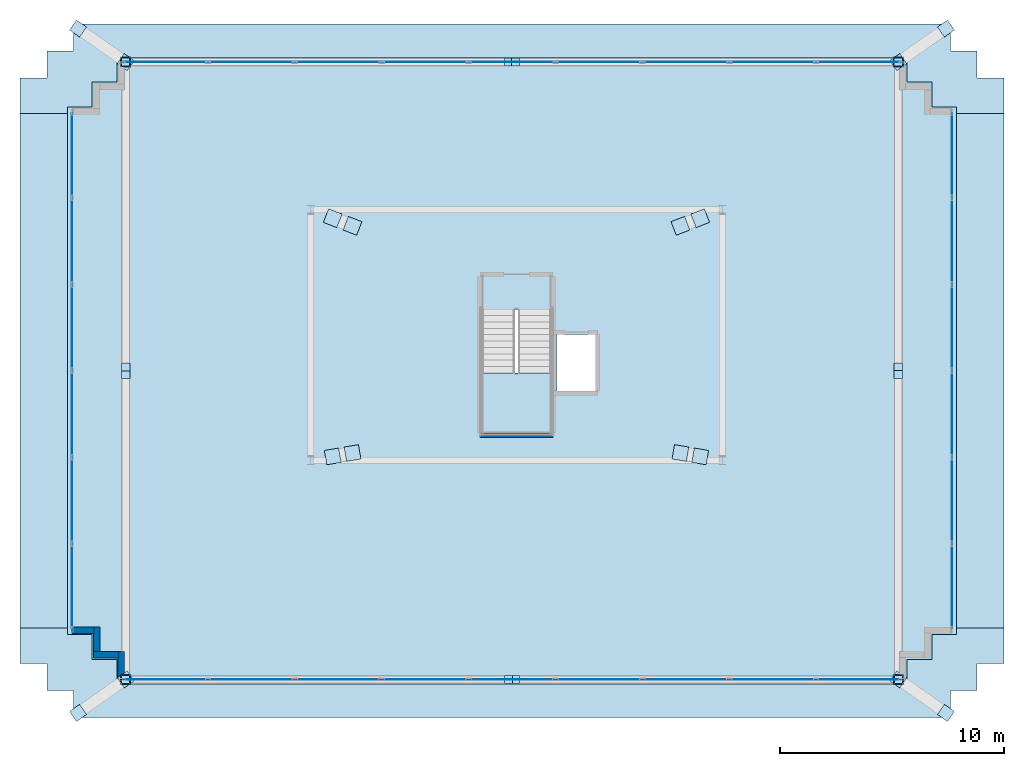
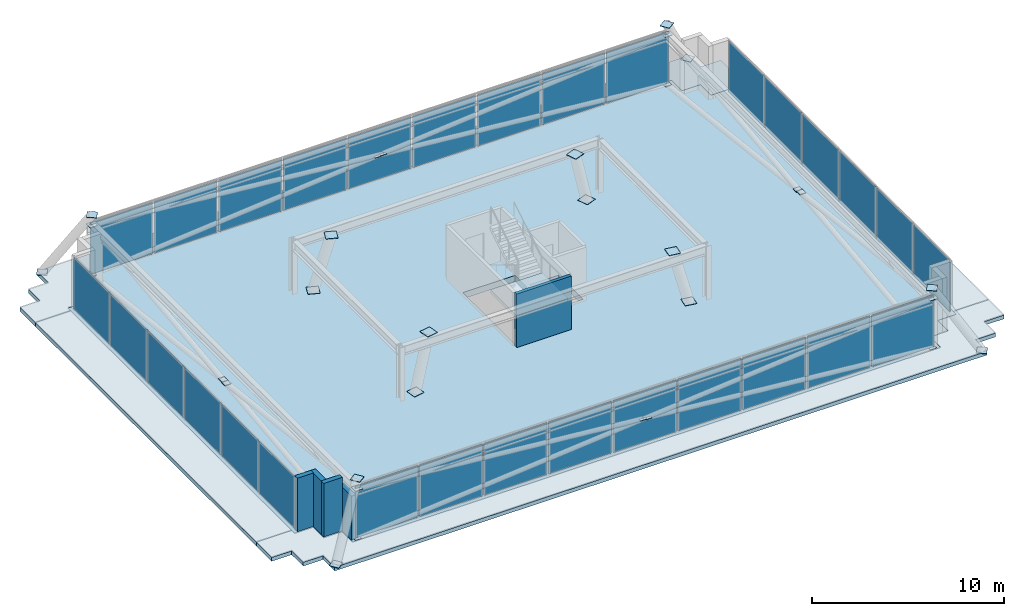
# One storey, part 18 of 22: 62 plates, 6 slabs, 5 walls, 5 elements without a shape of their own.
"""IFC4 building model written with IfcOpenShell, lengths in metres."""

from ifc_helpers import new_model, si_unit, direction, frame, frame_2d, origin, origin_2d, place, context, subcontext, project, spatial, polyline, rectangle, outline, extrude, material, layer, layer_set, type_object, element, aggregate, save


model = new_model("IFC4")

# Units and contexts
model_context = context("Model", 3, precision=1e-05, world=origin(), true_north=direction((0.0, 1.0)))
body_context = subcontext(model_context, "Body", "Model", "MODEL_VIEW")
ifc_project = project(units=[si_unit("LENGTHUNIT", "METRE"), si_unit("AREAUNIT", "SQUARE_METRE"), si_unit("VOLUMEUNIT", "CUBIC_METRE"), si_unit("PLANEANGLEUNIT", "RADIAN"), si_unit("MASSUNIT", "GRAM", prefix="KILO")], contexts=[model_context])

# Site, building, storey
site_placement = place(None, origin())
site = spatial("IfcSite", under=ifc_project, at=site_placement, CompositionType="ELEMENT")
building_placement = place(site_placement, origin())
building = spatial("IfcBuilding", under=site, at=building_placement, Name="Qobustan Lattice House", CompositionType="ELEMENT")
storey_placement = place(building_placement, frame((0.0, 0.0, 274.0)))
storey = spatial("IfcBuildingStorey", under=building, at=storey_placement, Name="L77", CompositionType="ELEMENT", Elevation=274.0)

# Curtain wall, plates
ifc_material_1 = material(Name="Anodised aluminium and low-E glazing", Category="aluminium")
ifc_layer_1 = layer(ifc_material_1, 0.219970703125)
ifc_layer_set_1 = layer_set([ifc_layer_1], Name="Anodised aluminium and low-E glazing")
curtain_wall_type = type_object("IfcCurtainWallType", Name="CW-CRN-01", PredefinedType="USERDEFINED", material=ifc_layer_set_1)
curtain_wall_1_placement = place(storey_placement, origin())
curtain_wall_1 = element("IfcCurtainWall", 1, at=curtain_wall_1_placement, inside=storey, type_object=curtain_wall_type, Name="L77 glass-point crown faceted curtain wall 5", ObjectType="CURTAIN WALL", PredefinedType="USERDEFINED")
ifc_material_2 = material(Name="Warm frit stone-toned laminated glass", Category="masonry")
ifc_layer_2 = layer(ifc_material_2, 0.035888671875)
ifc_layer_set_2 = layer_set([ifc_layer_2], Name="Warm frit stone-toned laminated glass")
plate_type_1 = type_object("IfcPlateType", Name="CWP-CROWN-36", PredefinedType="CURTAIN_PANEL", material=ifc_layer_set_2)
plate_1_placement = place(storey_placement, frame((-19.87353515625, -11.245361328125, 0.06494140625), z_axis=(0.0, 0.0, 1.0), x_axis=(0.0, 1.0, 0.0)))
plate_1 = element("IfcPlate", 2, at=plate_1_placement, type_object=plate_type_1, Name="CW-CR panel 1.1", PredefinedType="CURTAIN_PANEL", context=body_context, shape_type="SweptSolid", body=[
    extrude(rectangle(XDim=3.732177734375, YDim=0.031982421875, at=origin_2d()), origin(), (0.0, 0.0, 1.0), 3.27001953125),
])
plate_2_placement = place(storey_placement, frame((-19.87353515625, -7.400634765625, 0.06494140625), z_axis=(0.0, 0.0, 1.0), x_axis=(0.0, 1.0, 0.0)))
plate_2 = element("IfcPlate", 3, at=plate_2_placement, type_object=plate_type_1, Name="CW-CR panel 2.1", PredefinedType="CURTAIN_PANEL", context=body_context, shape_type="SweptSolid", body=[
    extrude(rectangle(XDim=3.777099609375, YDim=0.031982421875, at=origin_2d()), origin(), (0.0, 0.0, 1.0), 3.27001953125),
])
plate_3_placement = place(storey_placement, frame((-19.87353515625, -3.53369140625, 0.06494140625), z_axis=(0.0, 0.0, 1.0), x_axis=(0.0, 1.0, 0.0)))
plate_3 = element("IfcPlate", 4, at=plate_3_placement, type_object=plate_type_1, Name="CW-CR panel 3.1", PredefinedType="CURTAIN_PANEL", context=body_context, shape_type="SweptSolid", body=[
    extrude(rectangle(XDim=3.777099609375, YDim=0.031982421875, at=origin_2d()), origin(), (0.0, 0.0, 1.0), 3.27001953125),
])
plate_4_placement = place(storey_placement, frame((-19.87353515625, 0.33349609375, 0.06494140625), z_axis=(0.0, 0.0, 1.0), x_axis=(0.0, 1.0, 0.0)))
plate_4 = element("IfcPlate", 5, at=plate_4_placement, type_object=plate_type_1, Name="CW-CR panel 4.1", PredefinedType="CURTAIN_PANEL", context=body_context, shape_type="SweptSolid", body=[
    extrude(rectangle(XDim=3.777099609375, YDim=0.031982421875, at=origin_2d()), origin(), (0.0, 0.0, 1.0), 3.27001953125),
])
plate_5_placement = place(storey_placement, frame((-19.87353515625, 4.20068359375, 0.06494140625), z_axis=(0.0, 0.0, 1.0), x_axis=(0.0, 1.0, 0.0)))
plate_5 = element("IfcPlate", 6, at=plate_5_placement, type_object=plate_type_1, Name="CW-CR panel 5.1", PredefinedType="CURTAIN_PANEL", context=body_context, shape_type="SweptSolid", body=[
    extrude(rectangle(XDim=3.777099609375, YDim=0.031982421875, at=origin_2d()), origin(), (0.0, 0.0, 1.0), 3.27001953125),
])
plate_6_placement = place(storey_placement, frame((-19.87353515625, 8.04541015625, 0.06494140625), z_axis=(0.0, 0.0, 1.0), x_axis=(0.0, 1.0, 0.0)))
plate_6 = element("IfcPlate", 7, at=plate_6_placement, type_object=plate_type_1, Name="CW-CR panel 6.1", PredefinedType="CURTAIN_PANEL", context=body_context, shape_type="SweptSolid", body=[
    extrude(rectangle(XDim=3.732177734375, YDim=0.031982421875, at=origin_2d()), origin(), (0.0, 0.0, 1.0), 3.27001953125),
])
aggregate(curtain_wall_1, [plate_1, plate_2, plate_3, plate_4, plate_5, plate_6])

curtain_wall_2_placement = place(storey_placement, origin())
curtain_wall_2 = element("IfcCurtainWall", 8, at=curtain_wall_2_placement, inside=storey, type_object=curtain_wall_type, Name="L77 glass-point crown faceted curtain wall 10", ObjectType="CURTAIN WALL", PredefinedType="USERDEFINED")
plate_7_placement = place(storey_placement, frame((-15.70947265625, 12.201416015625, 0.06494140625), z_axis=(0.0, 0.0, 1.0), x_axis=(1.0, 0.0, 0.0)))
plate_7 = element("IfcPlate", 9, at=plate_7_placement, type_object=plate_type_1, Name="CW-CR panel 1.1", PredefinedType="CURTAIN_PANEL", context=body_context, shape_type="SweptSolid", body=[
    extrude(rectangle(XDim=3.748046875, YDim=0.031982421875, at=origin_2d()), origin(), (0.0, 0.0, 1.0), 3.27001953125),
])
plate_8_placement = place(storey_placement, frame((-11.84912109375, 12.201416015625, 0.06494140625), z_axis=(0.0, 0.0, 1.0), x_axis=(1.0, 0.0, 0.0)))
plate_8 = element("IfcPlate", 10, at=plate_8_placement, type_object=plate_type_1, Name="CW-CR panel 2.1", PredefinedType="CURTAIN_PANEL", context=body_context, shape_type="SweptSolid", body=[
    extrude(rectangle(XDim=3.79296875, YDim=0.031982421875, at=origin_2d()), origin(), (0.0, 0.0, 1.0), 3.27001953125),
])
plate_9_placement = place(storey_placement, frame((-7.966064453125, 12.201416015625, 0.06494140625), z_axis=(0.0, 0.0, 1.0), x_axis=(1.0, 0.0, 0.0)))
plate_9 = element("IfcPlate", 11, at=plate_9_placement, type_object=plate_type_1, Name="CW-CR panel 3.1", PredefinedType="CURTAIN_PANEL", context=body_context, shape_type="SweptSolid", body=[
    extrude(rectangle(XDim=3.79296875, YDim=0.031982421875, at=origin_2d()), origin(), (0.0, 0.0, 1.0), 3.27001953125),
])
plate_10_placement = place(storey_placement, frame((-4.0830078125, 12.201416015625, 0.06494140625), z_axis=(0.0, 0.0, 1.0), x_axis=(1.0, 0.0, 0.0)))
plate_10 = element("IfcPlate", 12, at=plate_10_placement, type_object=plate_type_1, Name="CW-CR panel 4.1", PredefinedType="CURTAIN_PANEL", context=body_context, shape_type="SweptSolid", body=[
    extrude(rectangle(XDim=3.79296875, YDim=0.031982421875, at=origin_2d()), origin(), (0.0, 0.0, 1.0), 3.27001953125),
])
plate_11_placement = place(storey_placement, frame((-0.199951171875, 12.201416015625, 0.06494140625), z_axis=(0.0, 0.0, 1.0), x_axis=(1.0, 0.0, 0.0)))
plate_11 = element("IfcPlate", 13, at=plate_11_placement, type_object=plate_type_1, Name="CW-CR panel 5.1", PredefinedType="CURTAIN_PANEL", context=body_context, shape_type="SweptSolid", body=[
    extrude(rectangle(XDim=3.79296875, YDim=0.031982421875, at=origin_2d()), origin(), (0.0, 0.0, 1.0), 3.27001953125),
])
plate_12_placement = place(storey_placement, frame((3.68310546875, 12.201416015625, 0.06494140625), z_axis=(0.0, 0.0, 1.0), x_axis=(1.0, 0.0, 0.0)))
plate_12 = element("IfcPlate", 14, at=plate_12_placement, type_object=plate_type_1, Name="CW-CR panel 6.1", PredefinedType="CURTAIN_PANEL", context=body_context, shape_type="SweptSolid", body=[
    extrude(rectangle(XDim=3.79296875, YDim=0.031982421875, at=origin_2d()), origin(), (0.0, 0.0, 1.0), 3.27001953125),
])
plate_13_placement = place(storey_placement, frame((7.56591796875, 12.201416015625, 0.06494140625), z_axis=(0.0, 0.0, 1.0), x_axis=(1.0, 0.0, 0.0)))
plate_13 = element("IfcPlate", 15, at=plate_13_placement, type_object=plate_type_1, Name="CW-CR panel 7.1", PredefinedType="CURTAIN_PANEL", context=body_context, shape_type="SweptSolid", body=[
    extrude(rectangle(XDim=3.79296875, YDim=0.031982421875, at=origin_2d()), origin(), (0.0, 0.0, 1.0), 3.27001953125),
])
plate_14_placement = place(storey_placement, frame((11.448974609375, 12.201416015625, 0.06494140625), z_axis=(0.0, 0.0, 1.0), x_axis=(1.0, 0.0, 0.0)))
plate_14 = element("IfcPlate", 16, at=plate_14_placement, type_object=plate_type_1, Name="CW-CR panel 8.1", PredefinedType="CURTAIN_PANEL", context=body_context, shape_type="SweptSolid", body=[
    extrude(rectangle(XDim=3.79296875, YDim=0.031982421875, at=origin_2d()), origin(), (0.0, 0.0, 1.0), 3.27001953125),
])
plate_15_placement = place(storey_placement, frame((15.3095703125, 12.201416015625, 0.06494140625), z_axis=(0.0, 0.0, 1.0), x_axis=(1.0, 0.0, 0.0)))
plate_15 = element("IfcPlate", 17, at=plate_15_placement, type_object=plate_type_1, Name="CW-CR panel 9.1", PredefinedType="CURTAIN_PANEL", context=body_context, shape_type="SweptSolid", body=[
    extrude(rectangle(XDim=3.748046875, YDim=0.031982421875, at=origin_2d()), origin(), (0.0, 0.0, 1.0), 3.27001953125),
])
aggregate(curtain_wall_2, [plate_7, plate_8, plate_9, plate_10, plate_11, plate_12, plate_13, plate_14, plate_15])

curtain_wall_3_placement = place(storey_placement, origin())
curtain_wall_3 = element("IfcCurtainWall", 18, at=curtain_wall_3_placement, inside=storey, type_object=curtain_wall_type, Name="L77 glass-point crown faceted curtain wall 15", ObjectType="CURTAIN WALL", PredefinedType="USERDEFINED")
plate_16_placement = place(storey_placement, frame((19.473388671875, 8.04541015625, 0.06494140625), z_axis=(0.0, 0.0, 1.0), x_axis=(0.0, -1.0, 0.0)))
plate_16 = element("IfcPlate", 19, at=plate_16_placement, type_object=plate_type_1, Name="CW-CR panel 1.1", PredefinedType="CURTAIN_PANEL", context=body_context, shape_type="SweptSolid", body=[
    extrude(rectangle(XDim=3.732177734375, YDim=0.031982421875, at=origin_2d()), origin(), (0.0, 0.0, 1.0), 3.27001953125),
])
plate_17_placement = place(storey_placement, frame((19.473388671875, 4.20068359375, 0.06494140625), z_axis=(0.0, 0.0, 1.0), x_axis=(0.0, -1.0, 0.0)))
plate_17 = element("IfcPlate", 20, at=plate_17_placement, type_object=plate_type_1, Name="CW-CR panel 2.1", PredefinedType="CURTAIN_PANEL", context=body_context, shape_type="SweptSolid", body=[
    extrude(rectangle(XDim=3.777099609375, YDim=0.031982421875, at=origin_2d()), origin(), (0.0, 0.0, 1.0), 3.27001953125),
])
plate_18_placement = place(storey_placement, frame((19.473388671875, 0.33349609375, 0.06494140625), z_axis=(0.0, 0.0, 1.0), x_axis=(0.0, -1.0, 0.0)))
plate_18 = element("IfcPlate", 21, at=plate_18_placement, type_object=plate_type_1, Name="CW-CR panel 3.1", PredefinedType="CURTAIN_PANEL", context=body_context, shape_type="SweptSolid", body=[
    extrude(rectangle(XDim=3.777099609375, YDim=0.031982421875, at=origin_2d()), origin(), (0.0, 0.0, 1.0), 3.27001953125),
])
plate_19_placement = place(storey_placement, frame((19.473388671875, -3.53369140625, 0.06494140625), z_axis=(0.0, 0.0, 1.0), x_axis=(0.0, -1.0, 0.0)))
plate_19 = element("IfcPlate", 22, at=plate_19_placement, type_object=plate_type_1, Name="CW-CR panel 4.1", PredefinedType="CURTAIN_PANEL", context=body_context, shape_type="SweptSolid", body=[
    extrude(rectangle(XDim=3.777099609375, YDim=0.031982421875, at=origin_2d()), origin(), (0.0, 0.0, 1.0), 3.27001953125),
])
plate_20_placement = place(storey_placement, frame((19.473388671875, -7.400634765625, 0.06494140625), z_axis=(0.0, 0.0, 1.0), x_axis=(0.0, -1.0, 0.0)))
plate_20 = element("IfcPlate", 23, at=plate_20_placement, type_object=plate_type_1, Name="CW-CR panel 5.1", PredefinedType="CURTAIN_PANEL", context=body_context, shape_type="SweptSolid", body=[
    extrude(rectangle(XDim=3.777099609375, YDim=0.031982421875, at=origin_2d()), origin(), (0.0, 0.0, 1.0), 3.27001953125),
])
plate_21_placement = place(storey_placement, frame((19.473388671875, -11.245361328125, 0.06494140625), z_axis=(0.0, 0.0, 1.0), x_axis=(0.0, -1.0, 0.0)))
plate_21 = element("IfcPlate", 24, at=plate_21_placement, type_object=plate_type_1, Name="CW-CR panel 6.1", PredefinedType="CURTAIN_PANEL", context=body_context, shape_type="SweptSolid", body=[
    extrude(rectangle(XDim=3.732177734375, YDim=0.031982421875, at=origin_2d()), origin(), (0.0, 0.0, 1.0), 3.27001953125),
])
aggregate(curtain_wall_3, [plate_16, plate_17, plate_18, plate_19, plate_20, plate_21])

curtain_wall_4_placement = place(storey_placement, origin())
curtain_wall_4 = element("IfcCurtainWall", 25, at=curtain_wall_4_placement, inside=storey, type_object=curtain_wall_type, Name="L77 glass-point crown faceted curtain wall 20", ObjectType="CURTAIN WALL", PredefinedType="USERDEFINED")
plate_22_placement = place(storey_placement, frame((15.3095703125, -15.401611328125, 0.06494140625), z_axis=(0.0, 0.0, 1.0), x_axis=(-1.0, 0.0, 0.0)))
plate_22 = element("IfcPlate", 26, at=plate_22_placement, type_object=plate_type_1, Name="CW-CR panel 1.1", PredefinedType="CURTAIN_PANEL", context=body_context, shape_type="SweptSolid", body=[
    extrude(rectangle(XDim=3.748046875, YDim=0.031982421875, at=origin_2d()), origin(), (0.0, 0.0, 1.0), 3.27001953125),
])
plate_23_placement = place(storey_placement, frame((11.448974609375, -15.401611328125, 0.06494140625), z_axis=(0.0, 0.0, 1.0), x_axis=(-1.0, 0.0, 0.0)))
plate_23 = element("IfcPlate", 27, at=plate_23_placement, type_object=plate_type_1, Name="CW-CR panel 2.1", PredefinedType="CURTAIN_PANEL", context=body_context, shape_type="SweptSolid", body=[
    extrude(rectangle(XDim=3.79296875, YDim=0.031982421875, at=origin_2d()), origin(), (0.0, 0.0, 1.0), 3.27001953125),
])
plate_24_placement = place(storey_placement, frame((7.56591796875, -15.401611328125, 0.06494140625), z_axis=(0.0, 0.0, 1.0), x_axis=(-1.0, 0.0, 0.0)))
plate_24 = element("IfcPlate", 28, at=plate_24_placement, type_object=plate_type_1, Name="CW-CR panel 3.1", PredefinedType="CURTAIN_PANEL", context=body_context, shape_type="SweptSolid", body=[
    extrude(rectangle(XDim=3.79296875, YDim=0.031982421875, at=origin_2d()), origin(), (0.0, 0.0, 1.0), 3.27001953125),
])
plate_25_placement = place(storey_placement, frame((3.68310546875, -15.401611328125, 0.06494140625), z_axis=(0.0, 0.0, 1.0), x_axis=(-1.0, 0.0, 0.0)))
plate_25 = element("IfcPlate", 29, at=plate_25_placement, type_object=plate_type_1, Name="CW-CR panel 4.1", PredefinedType="CURTAIN_PANEL", context=body_context, shape_type="SweptSolid", body=[
    extrude(rectangle(XDim=3.79296875, YDim=0.031982421875, at=origin_2d()), origin(), (0.0, 0.0, 1.0), 3.27001953125),
])
plate_26_placement = place(storey_placement, frame((-0.199951171875, -15.401611328125, 0.06494140625), z_axis=(0.0, 0.0, 1.0), x_axis=(-1.0, 0.0, 0.0)))
plate_26 = element("IfcPlate", 30, at=plate_26_placement, type_object=plate_type_1, Name="CW-CR panel 5.1", PredefinedType="CURTAIN_PANEL", context=body_context, shape_type="SweptSolid", body=[
    extrude(rectangle(XDim=3.79296875, YDim=0.031982421875, at=origin_2d()), origin(), (0.0, 0.0, 1.0), 3.27001953125),
])
plate_27_placement = place(storey_placement, frame((-4.0830078125, -15.401611328125, 0.06494140625), z_axis=(0.0, 0.0, 1.0), x_axis=(-1.0, 0.0, 0.0)))
plate_27 = element("IfcPlate", 31, at=plate_27_placement, type_object=plate_type_1, Name="CW-CR panel 6.1", PredefinedType="CURTAIN_PANEL", context=body_context, shape_type="SweptSolid", body=[
    extrude(rectangle(XDim=3.79296875, YDim=0.031982421875, at=origin_2d()), origin(), (0.0, 0.0, 1.0), 3.27001953125),
])
plate_28_placement = place(storey_placement, frame((-7.966064453125, -15.401611328125, 0.06494140625), z_axis=(0.0, 0.0, 1.0), x_axis=(-1.0, 0.0, 0.0)))
plate_28 = element("IfcPlate", 32, at=plate_28_placement, type_object=plate_type_1, Name="CW-CR panel 7.1", PredefinedType="CURTAIN_PANEL", context=body_context, shape_type="SweptSolid", body=[
    extrude(rectangle(XDim=3.79296875, YDim=0.031982421875, at=origin_2d()), origin(), (0.0, 0.0, 1.0), 3.27001953125),
])
plate_29_placement = place(storey_placement, frame((-11.84912109375, -15.401611328125, 0.06494140625), z_axis=(0.0, 0.0, 1.0), x_axis=(-1.0, 0.0, 0.0)))
plate_29 = element("IfcPlate", 33, at=plate_29_placement, type_object=plate_type_1, Name="CW-CR panel 8.1", PredefinedType="CURTAIN_PANEL", context=body_context, shape_type="SweptSolid", body=[
    extrude(rectangle(XDim=3.79296875, YDim=0.031982421875, at=origin_2d()), origin(), (0.0, 0.0, 1.0), 3.27001953125),
])
plate_30_placement = place(storey_placement, frame((-15.70947265625, -15.401611328125, 0.06494140625), z_axis=(0.0, 0.0, 1.0), x_axis=(-1.0, 0.0, 0.0)))
plate_30 = element("IfcPlate", 34, at=plate_30_placement, type_object=plate_type_1, Name="CW-CR panel 9.1", PredefinedType="CURTAIN_PANEL", context=body_context, shape_type="SweptSolid", body=[
    extrude(rectangle(XDim=3.748046875, YDim=0.031982421875, at=origin_2d()), origin(), (0.0, 0.0, 1.0), 3.27001953125),
])
aggregate(curtain_wall_4, [plate_22, plate_23, plate_24, plate_25, plate_26, plate_27, plate_28, plate_29, plate_30])

# Plates
ifc_material_3 = material(Name="Steel S355", Category="steel")
ifc_layer_3 = layer(ifc_material_3, 0.030029296875)
ifc_layer_set_3 = layer_set([ifc_layer_3], Name="Steel S355")
plate_type_2 = type_object("IfcPlateType", Name="PLT-CAP-25", PredefinedType="SHEET", material=ifc_layer_set_3)
for number, where, z_axis, x_axis, name in (
    (35, (-8.216064453125, -5.431396484375, -0.02001953125), (0.0, 0.0, 1.0), (0.985623960897, 0.168953862656, 0.0), "L77 crown spire leg SL1 end cap plate 1"),
    (36, (-7.33203125, -5.27978515625, 3.3896484375), (0.0, 0.0, 1.0), (0.985623960897, 0.168953862656, 0.0), "L77 crown spire leg SL1 end cap plate 2"),
    (37, (8.216064453125, -5.431396484375, -0.02001953125), (0.0, 0.0, 1.0), (-0.985623960897, 0.168953862656, 0.0), "L77 crown spire leg SL2 end cap plate 1"),
    (38, (7.33203125, -5.27978515625, 3.3896484375), (0.0, 0.0, 1.0), (-0.985623960897, 0.168953862656, 0.0), "L77 crown spire leg SL2 end cap plate 2"),
    (39, (8.216064453125, 5.220458984375, -0.02001953125), (0.0, 0.0, 1.0), (-0.933003790768, -0.359866539724, 0.0), "L77 crown spire leg SL3 end cap plate 1"),
    (40, (7.33203125, 4.87939453125, 3.3896484375), (0.0, 0.0, 1.0), (-0.933003790768, -0.359866539724, 0.0), "L77 crown spire leg SL3 end cap plate 2"),
    (41, (-8.216064453125, 5.220458984375, -0.02001953125), (0.0, 0.0, 1.0), (0.933003790768, -0.359866539724, 0.0), "L77 crown spire leg SL4 end cap plate 1"),
    (42, (-7.33203125, 4.87939453125, 3.3896484375), (0.0, 0.0, 1.0), (0.933003790768, -0.359866539724, 0.0), "L77 crown spire leg SL4 end cap plate 2"),
):
    element("IfcPlate", number, at=place(storey_placement, frame(where, z_axis=z_axis, x_axis=x_axis)), inside=storey, type_object=plate_type_2, Name=name, PredefinedType="SHEET", context=body_context, shape_type="SweptSolid", body=[
        extrude(rectangle(XDim=0.64990234375, YDim=0.64990234375, at=origin_2d()), origin(), (0.0, 0.0, 1.0), 0.030029296875),
    ])
for number, where, z_axis, x_axis, name in (
    (43, (-19.602294921875, -16.901611328125, -0.01904296875), (0.0, 0.0, 1.0), (0.81742649872, 0.576032915024, 0.0), "L77 crown corner raking strut 1 end cap plate 1"),
    (44, (-17.47119140625, -15.39990234375, 3.7890625), (0.0, 0.0, 1.0), (0.81742649872, 0.576032915024, 0.0), "L77 crown corner raking strut 1 end cap plate 2"),
    (45, (19.202392578125, -16.901611328125, -0.01904296875), (0.0, 0.0, 1.0), (-0.81742649872, 0.576032915024, 0.0), "L77 crown corner raking strut 2 end cap plate 1"),
    (46, (17.0712890625, -15.39990234375, 3.7890625), (0.0, 0.0, 1.0), (-0.81742649872, 0.576032915024, 0.0), "L77 crown corner raking strut 2 end cap plate 2"),
    (47, (19.202392578125, 13.70166015625, -0.01904296875), (0.0, 0.0, 1.0), (-0.81742649872, -0.576032915024, 0.0), "L77 crown corner raking strut 3 end cap plate 1"),
    (48, (17.0712890625, 12.199951171875, 3.7890625), (0.0, 0.0, 1.0), (-0.81742649872, -0.576032915024, 0.0), "L77 crown corner raking strut 3 end cap plate 2"),
    (49, (-19.602294921875, 13.70166015625, -0.01904296875), (0.0, 0.0, 1.0), (0.81742649872, -0.576032915024, 0.0), "L77 crown corner raking strut 4 end cap plate 1"),
    (50, (-17.47119140625, 12.199951171875, 3.7890625), (0.0, 0.0, 1.0), (0.81742649872, -0.576032915024, 0.0), "L77 crown corner raking strut 4 end cap plate 2"),
):
    element("IfcPlate", number, at=place(storey_placement, frame(where, z_axis=z_axis, x_axis=x_axis)), inside=storey, type_object=plate_type_2, Name=name, PredefinedType="SHEET", context=body_context, shape_type="SweptSolid", body=[
        extrude(rectangle(XDim=0.548095703125, YDim=0.548095703125, at=origin_2d()), origin(), (0.0, 0.0, 1.0), 0.030029296875),
    ])
for number, where, z_axis, x_axis, name in (
    (51, (-17.478515625, -15.401611328125, 3.1650390625), (0.0, 0.0, 1.0), (1.0, 0.0, 0.0), "L77 crown ring chord 1 end cap plate 1"),
    (52, (17.07861328125, -15.401611328125, 3.1650390625), (0.0, 0.0, 1.0), (1.0, 0.0, 0.0), "L77 crown ring chord 1 end cap plate 2"),
):
    element("IfcPlate", number, at=place(storey_placement, frame(where, z_axis=z_axis, x_axis=x_axis)), inside=storey, type_object=plate_type_2, Name=name, PredefinedType="SHEET", context=body_context, shape_type="SweptSolid", body=[
        extrude(rectangle(XDim=0.4462890625, YDim=0.4462890625, at=origin_2d()), origin(), (0.0, 0.0, 1.0), 0.030029296875),
    ])
for number, where, z_axis, x_axis, name in (
    (53, (-17.478515625, -15.401611328125, -0.00048828125), (0.0, 0.0, 1.0), (1.0, 0.0, 0.0), "L77 crown diagrid continuous brace 1A end cap plate 1"),
    (54, (17.07861328125, -15.401611328125, -0.00048828125), (0.0, 0.0, 1.0), (-1.0, 0.0, 0.0), "L77 crown diagrid split brace 1B lower end cap plate 1"),
    (55, (-0.03759765625, -15.401611328125, 1.56787109375), (0.0, 0.0, 1.0), (-1.0, 0.0, 0.0), "L77 crown diagrid split brace 1B lower end cap plate 2"),
    (56, (-0.3623046875, -15.401611328125, 1.59716796875), (0.0, 0.0, 1.0), (-1.0, 0.0, 0.0), "L77 crown diagrid split brace 1B upper end cap plate 1"),
):
    element("IfcPlate", number, at=place(storey_placement, frame(where, z_axis=z_axis, x_axis=x_axis)), inside=storey, type_object=plate_type_2, Name=name, PredefinedType="SHEET", context=body_context, shape_type="SweptSolid", body=[
        extrude(rectangle(XDim=0.364013671875, YDim=0.364013671875, at=origin_2d()), origin(), (0.0, 0.0, 1.0), 0.030029296875),
    ])
plate_31_placement = place(storey_placement, frame((17.073486328125, 12.20654296875, 3.1650390625), z_axis=(0.0, 0.0, 1.0), x_axis=(0.0, 1.0, 0.0)))
element("IfcPlate", 57, at=plate_31_placement, inside=storey, type_object=plate_type_2, Name="L77 crown ring chord 2 end cap plate 2", PredefinedType="SHEET", context=body_context, shape_type="SweptSolid", body=[
    extrude(rectangle(XDim=0.4462890625, YDim=0.4462890625, at=origin_2d()), origin(), (0.0, 0.0, 1.0), 0.030029296875),
])
for number, where, z_axis, x_axis, name in (
    (58, (17.073486328125, 12.20654296875, -0.00048828125), (0.0, 0.0, 1.0), (0.0, -1.0, 0.0), "L77 crown diagrid split brace 2B lower end cap plate 1"),
    (59, (17.073486328125, -1.43798828125, 1.56396484375), (0.0, 0.0, 1.0), (0.0, -1.0, 0.0), "L77 crown diagrid split brace 2B lower end cap plate 2"),
    (60, (17.073486328125, -1.761962890625, 1.60107421875), (0.0, 0.0, 1.0), (0.0, -1.0, 0.0), "L77 crown diagrid split brace 2B upper end cap plate 1"),
):
    element("IfcPlate", number, at=place(storey_placement, frame(where, z_axis=z_axis, x_axis=x_axis)), inside=storey, type_object=plate_type_2, Name=name, PredefinedType="SHEET", context=body_context, shape_type="SweptSolid", body=[
        extrude(rectangle(XDim=0.364013671875, YDim=0.364013671875, at=origin_2d()), origin(), (0.0, 0.0, 1.0), 0.030029296875),
    ])
plate_32_placement = place(storey_placement, frame((-17.478515625, 12.201416015625, 3.1650390625), z_axis=(0.0, 0.0, 1.0), x_axis=(-1.0, 0.0, 0.0)))
element("IfcPlate", 61, at=plate_32_placement, inside=storey, type_object=plate_type_2, Name="L77 crown ring chord 3 end cap plate 2", PredefinedType="SHEET", context=body_context, shape_type="SweptSolid", body=[
    extrude(rectangle(XDim=0.4462890625, YDim=0.4462890625, at=origin_2d()), origin(), (0.0, 0.0, 1.0), 0.030029296875),
])
for number, where, z_axis, x_axis, name in (
    (62, (-17.478515625, 12.201416015625, -0.00048828125), (0.0, 0.0, 1.0), (1.0, 0.0, 0.0), "L77 crown diagrid split brace 3B lower end cap plate 1"),
    (63, (-0.3623046875, 12.201416015625, 1.56787109375), (0.0, 0.0, 1.0), (1.0, 0.0, 0.0), "L77 crown diagrid split brace 3B lower end cap plate 2"),
    (64, (-0.03759765625, 12.201416015625, 1.59716796875), (0.0, 0.0, 1.0), (1.0, 0.0, 0.0), "L77 crown diagrid split brace 3B upper end cap plate 1"),
    (65, (-17.473388671875, -1.761962890625, 1.56396484375), (0.0, 0.0, 1.0), (0.0, 1.0, 0.0), "L77 crown diagrid split brace 4B lower end cap plate 2"),
    (66, (-17.473388671875, -1.43798828125, 1.60107421875), (0.0, 0.0, 1.0), (0.0, 1.0, 0.0), "L77 crown diagrid split brace 4B upper end cap plate 1"),
):
    element("IfcPlate", number, at=place(storey_placement, frame(where, z_axis=z_axis, x_axis=x_axis)), inside=storey, type_object=plate_type_2, Name=name, PredefinedType="SHEET", context=body_context, shape_type="SweptSolid", body=[
        extrude(rectangle(XDim=0.364013671875, YDim=0.364013671875, at=origin_2d()), origin(), (0.0, 0.0, 1.0), 0.030029296875),
    ])

# Stair, slab
ifc_material_4 = material(Name="Concrete C40/50", Category="concrete")
stair_type = type_object("IfcStairType", Name="STR-CORE-DOGLEG", PredefinedType="HALF_TURN_STAIR", material=ifc_material_4)
stair_placement = place(storey_placement, origin())
stair = element("IfcStair", 67, at=stair_placement, inside=storey, type_object=stair_type, Name="L77 Crown access stair ST-C1", PredefinedType="HALF_TURN_STAIR")
ifc_material_5 = material(Name="Concrete C40/50", Category="concrete")
ifc_layer_4 = layer(ifc_material_5, 0.199951171875)
ifc_layer_set_4 = layer_set([ifc_layer_4], Name="Concrete C40/50")
slab_type_1 = type_object("IfcSlabType", Name="SLB-LANDING-200", PredefinedType="LANDING", material=ifc_layer_set_4)
slab_1_placement = place(storey_placement, frame((0.0, 0.0, 1.699951171875)))
slab_1 = element("IfcSlab", 68, at=slab_1_placement, type_object=slab_type_1, Name="ST-C1 landing 1", PredefinedType="LANDING", context=body_context, shape_type="SweptSolid", body=[
    extrude(outline(polyline([(-1.56005859375, -1.699951171875), (-1.56005859375, -4.39990234375), (1.56005859375, -4.39990234375), (1.56005859375, -1.699951171875), (-1.56005859375, -1.699951171875)])), origin(), (0.0, 0.0, 1.0), 0.199951171875),
])
aggregate(stair, [slab_1])

# Slabs
ifc_material_6 = material(Name="Concrete C50/60", Category="concrete")
ifc_layer_5 = layer(ifc_material_6, 0.39990234375)
ifc_layer_set_5 = layer_set([ifc_layer_5], Name="Concrete C50/60")
slab_type_2 = type_object("IfcSlabType", Name="SLB-PLANT-DECK-400", PredefinedType="USERDEFINED", material=ifc_layer_set_5)
slab_2_placement = place(storey_placement, frame((0.0, 0.0, -0.39990234375)))
element("IfcSlab", 69, at=slab_2_placement, inside=storey, type_object=slab_type_2, Name="L77 crown mechanical plant deck", ObjectType="PLANT DECK", PredefinedType="USERDEFINED", context=body_context, shape_type="SweptSolid", body=[
    extrude(outline(polyline([(-17.87353515625, -15.6015625), (17.473388671875, -15.6015625), (17.473388671875, -14.50146484375), (18.573486328125, -14.50146484375), (18.573486328125, -13.401611328125), (19.673583984375, -13.401611328125), (19.673583984375, 10.201416015625), (18.573486328125, 10.201416015625), (18.573486328125, 11.301513671875), (17.473388671875, 11.301513671875), (17.473388671875, 12.401611328125), (-17.87353515625, 12.401611328125), (-17.87353515625, 11.301513671875), (-18.973388671875, 11.301513671875), (-18.973388671875, 10.201416015625), (-20.073486328125, 10.201416015625), (-20.073486328125, -13.401611328125), (-18.973388671875, -13.401611328125), (-18.973388671875, -14.50146484375), (-17.87353515625, -14.50146484375), (-17.87353515625, -15.6015625)]), holes=[polyline([(-1.56005859375, -4.39990234375), (-1.56005859375, 1.139892578125), (1.56005859375, 1.139892578125), (1.56005859375, -4.39990234375), (-1.56005859375, -4.39990234375)]), polyline([(1.820068359375, -2.5), (1.820068359375, 0.02001953125), (3.5400390625, 0.02001953125), (3.5400390625, -2.5), (1.820068359375, -2.5)])]), origin(), (0.0, 0.0, 1.0), 0.39990234375),
])
ifc_material_7 = material(Name="Concrete C40/50", Category="concrete")
ifc_layer_6 = layer(ifc_material_7, 0.239990234375)
ifc_layer_set_6 = layer_set([ifc_layer_6], Name="Concrete C40/50")
slab_type_3 = type_object("IfcSlabType", Name="SLB-ROOF-240", PredefinedType="ROOF", material=ifc_layer_set_6)
slab_3_placement = place(storey_placement, frame((0.0, 0.0, -0.239990234375)))
element("IfcSlab", 70, at=slab_3_placement, inside=storey, type_object=slab_type_3, Name="L77 crown step-in roof slab S1", PredefinedType="ROOF", context=body_context, shape_type="SweptSolid", body=[
    extrude(outline(polyline([(-19.800048828125, -15.89990234375), (-19.800048828125, -17.10009765625), (19.39990234375, -17.10009765625), (19.39990234375, -15.89990234375), (20.60009765625, -15.89990234375), (20.60009765625, -14.699951171875), (21.800048828125, -14.699951171875), (21.800048828125, -13.1015625), (19.673583984375, -13.1015625), (19.673583984375, -13.401611328125), (18.573486328125, -13.401611328125), (18.573486328125, -14.50146484375), (17.473388671875, -14.50146484375), (17.473388671875, -15.6015625), (-17.87353515625, -15.6015625), (-17.87353515625, -14.50146484375), (-18.973388671875, -14.50146484375), (-18.973388671875, -13.401611328125), (-20.073486328125, -13.401611328125), (-20.073486328125, -13.1015625), (-22.199951171875, -13.1015625), (-22.199951171875, -14.699951171875), (-21.0, -14.699951171875), (-21.0, -15.89990234375), (-19.800048828125, -15.89990234375)])), origin(), (0.0, 0.0, 1.0), 0.239990234375),
])
slab_4_placement = place(storey_placement, frame((0.0, 0.0, -0.239990234375)))
element("IfcSlab", 71, at=slab_4_placement, inside=storey, type_object=slab_type_3, Name="L77 crown step-in roof slab N1", PredefinedType="ROOF", context=body_context, shape_type="SweptSolid", body=[
    extrude(outline(polyline([(-22.199951171875, 9.901611328125), (-20.073486328125, 9.901611328125), (-20.073486328125, 10.201416015625), (-18.973388671875, 10.201416015625), (-18.973388671875, 11.301513671875), (-17.87353515625, 11.301513671875), (-17.87353515625, 12.401611328125), (17.473388671875, 12.401611328125), (17.473388671875, 11.301513671875), (18.573486328125, 11.301513671875), (18.573486328125, 10.201416015625), (19.673583984375, 10.201416015625), (19.673583984375, 9.901611328125), (21.800048828125, 9.901611328125), (21.800048828125, 11.5), (20.60009765625, 11.5), (20.60009765625, 12.699951171875), (19.39990234375, 12.699951171875), (19.39990234375, 13.89990234375), (-19.800048828125, 13.89990234375), (-19.800048828125, 12.699951171875), (-21.0, 12.699951171875), (-21.0, 11.5), (-22.199951171875, 11.5), (-22.199951171875, 9.901611328125)])), origin(), (0.0, 0.0, 1.0), 0.239990234375),
])
slab_5_placement = place(storey_placement, frame((0.0, 0.0, -0.239990234375)))
element("IfcSlab", 72, at=slab_5_placement, inside=storey, type_object=slab_type_3, Name="L77 crown step-in roof slab W1", PredefinedType="ROOF", context=body_context, shape_type="SweptSolid", body=[
    extrude(outline(polyline([(-22.199951171875, -13.1015625), (-20.073486328125, -13.1015625), (-20.073486328125, 9.901611328125), (-22.199951171875, 9.901611328125), (-22.199951171875, -13.1015625)])), origin(), (0.0, 0.0, 1.0), 0.239990234375),
])
slab_6_placement = place(storey_placement, frame((0.0, 0.0, -0.239990234375)))
element("IfcSlab", 73, at=slab_6_placement, inside=storey, type_object=slab_type_3, Name="L77 crown step-in roof slab E1", PredefinedType="ROOF", context=body_context, shape_type="SweptSolid", body=[
    extrude(outline(polyline([(21.800048828125, 9.901611328125), (19.673583984375, 9.901611328125), (19.673583984375, -13.1015625), (21.800048828125, -13.1015625), (21.800048828125, 9.901611328125)])), origin(), (0.0, 0.0, 1.0), 0.239990234375),
])

# Walls
ifc_material_8 = material(Name="Precast concrete C40/50", Category="concrete")
ifc_layer_7 = layer(ifc_material_8, 0.280029296875)
ifc_layer_set_7 = layer_set([ifc_layer_7], Name="Precast concrete C40/50")
wall_type_1 = type_object("IfcWallType", Name="WAL-EXT-CROWN-280", PredefinedType="SOLIDWALL", material=ifc_layer_set_7)
wall_1_placement = place(storey_placement, frame((-17.673583984375, -15.401611328125, 0.0), z_axis=(0.0, 0.0, 1.0), x_axis=(0.0, 1.0, 0.0)))
element("IfcWall", 74, at=wall_1_placement, inside=storey, type_object=wall_type_1, Name="L77 crown faceted limestone wall 1", PredefinedType="SOLIDWALL", context=body_context, shape_type="SweptSolid", body=[
    extrude(rectangle(XDim=1.239990234375, YDim=0.280029296875, at=frame_2d((0.6201171875, 0.0))), origin(), (0.0, 0.0, 1.0), 2.784912109375),
])
for number, where, z_axis, x_axis, name in (
    (75, (-17.801513671875, -14.301513671875, 0.0), (0.0, 0.0, 1.0), (-1.0, 0.0, 0.0), "L77 crown faceted limestone wall 2"),
    (76, (-18.7734375, -14.173583984375, 0.0), (0.0, 0.0, 1.0), (0.0, 1.0, 0.0), "L77 crown faceted limestone wall 3"),
):
    element("IfcWall", number, at=place(storey_placement, frame(where, z_axis=z_axis, x_axis=x_axis)), inside=storey, type_object=wall_type_1, Name=name, PredefinedType="SOLIDWALL", context=body_context, shape_type="SweptSolid", body=[
        extrude(rectangle(XDim=1.112060546875, YDim=0.280029296875, at=frame_2d((0.55615234375, 0.0))), origin(), (0.0, 0.0, 1.0), 3.39990234375),
    ])
wall_2_placement = place(storey_placement, frame((-18.901611328125, -13.201416015625, 0.0), z_axis=(0.0, 0.0, 1.0), x_axis=(-1.0, 0.0, 0.0)))
element("IfcWall", 77, at=wall_2_placement, inside=storey, type_object=wall_type_1, Name="L77 crown faceted limestone wall 4", PredefinedType="SOLIDWALL", context=body_context, shape_type="SweptSolid", body=[
    extrude(rectangle(XDim=0.971923828125, YDim=0.280029296875, at=frame_2d((0.48583984375, 0.0))), origin(), (0.0, 0.0, 1.0), 3.39990234375),
])
ifc_material_9 = material(Name="Concrete C40/50", Category="concrete")
ifc_layer_8 = layer(ifc_material_9, 0.199951171875)
ifc_layer_set_8 = layer_set([ifc_layer_8], Name="Concrete C40/50")
wall_type_2 = type_object("IfcWallType", Name="WAL-SHAFT-LB-200", PredefinedType="SHEAR", material=ifc_layer_set_8)
wall_3_placement = place(storey_placement, frame((-1.639892578125, -4.47998046875, 0.0), z_axis=(0.0, 0.0, 1.0), x_axis=(1.0, 0.0, 0.0)))
element("IfcWall", 78, at=wall_3_placement, inside=storey, type_object=wall_type_2, Name="L77 crown stair ST-C1 RC shaft wall STC-S", PredefinedType="SHEAR", context=body_context, shape_type="SweptSolid", body=[
    extrude(rectangle(XDim=3.27978515625, YDim=0.199951171875, at=frame_2d((1.639892578125, 0.0))), origin(), (0.0, 0.0, 1.0), 3.39990234375),
])

save(model, "model.ifc")
